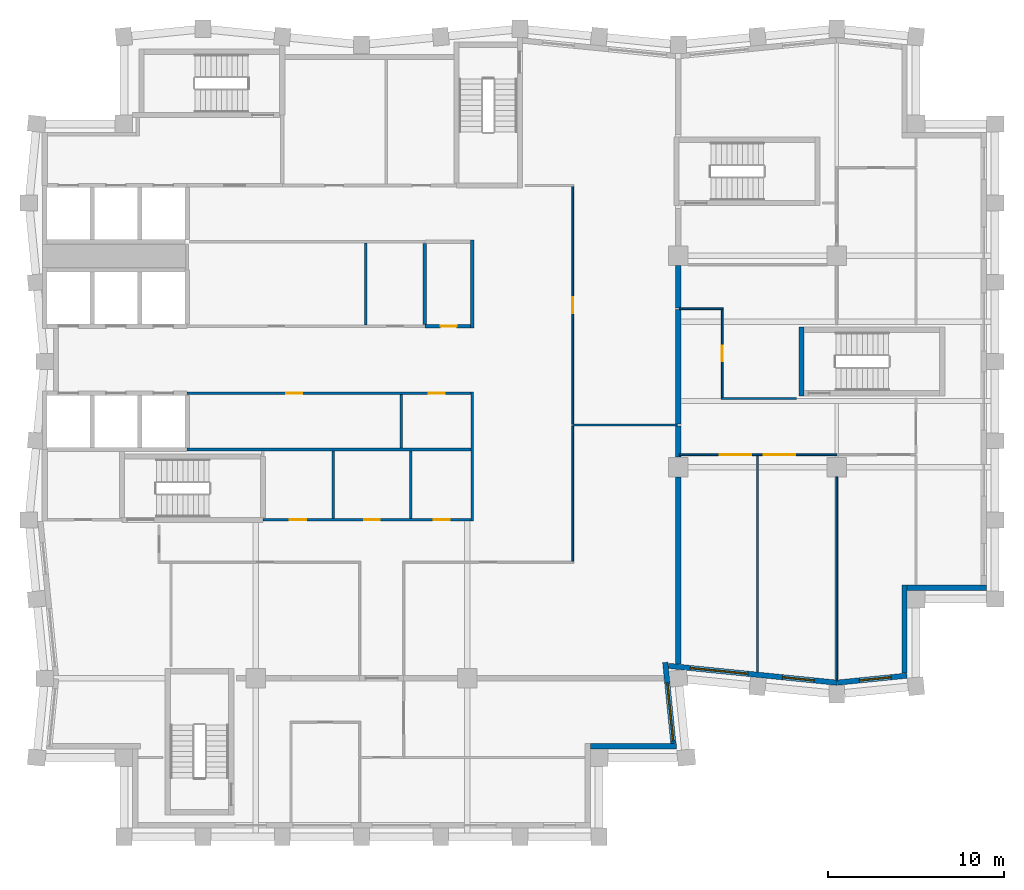
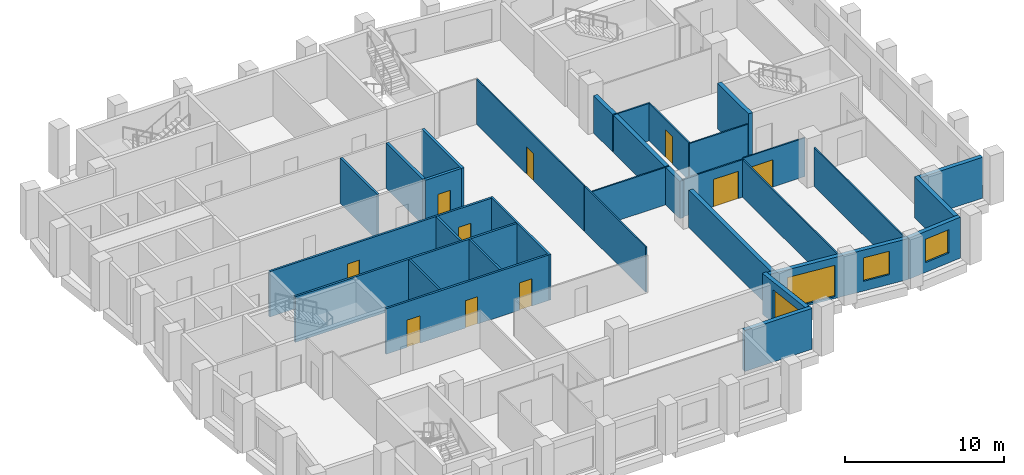
# One storey, part 4 of 8: 32 walls, 10 doors, 4 windows, 14 openings.
"""IFC4 building model written with IfcOpenShell, lengths in metres."""

from ifc_helpers import new_model, si_unit, direction, frame, frame_2d, origin, place, context, subcontext, project, spatial, rectangle, extrude, material, layer, layer_set, type_object, element, fill, save


model = new_model("IFC4")

# Units and contexts
model_context = context("Model", 3, precision=1e-05, world=origin(), true_north=direction((0.0, 1.0)))
body_context = subcontext(model_context, "Body", "Model", "MODEL_VIEW")
ifc_project = project(units=[si_unit("LENGTHUNIT", "METRE"), si_unit("AREAUNIT", "SQUARE_METRE"), si_unit("VOLUMEUNIT", "CUBIC_METRE"), si_unit("PLANEANGLEUNIT", "RADIAN"), si_unit("MASSUNIT", "GRAM", prefix="KILO")], contexts=[model_context])

# Site, building, storey
site_placement = place(None, origin())
site = spatial("IfcSite", under=ifc_project, at=site_placement, CompositionType="ELEMENT")
building_placement = place(site_placement, origin())
building = spatial("IfcBuilding", under=site, at=building_placement, Name="Brondeck Convention Tower", CompositionType="ELEMENT")
storey_placement = place(building_placement, frame((0.0, 0.0, 217.800048828125)))
storey = spatial("IfcBuildingStorey", under=building, at=storey_placement, Name="L53", CompositionType="ELEMENT", Elevation=217.800048828125)

# Walls
ifc_material_1 = material(Name="Concrete compartment wall C30/37", Category="concrete")
ifc_layer_1 = layer(ifc_material_1, 0.300048828125)
ifc_layer_set_1 = layer_set([ifc_layer_1], Name="Compartment wall 300")
wall_type_1 = type_object("IfcWallType", Name="Compartment wall 300", PredefinedType="PARTITIONING", material=ifc_layer_set_1)
wall_1_placement = place(storey_placement, frame((36.0, 27.823974609375, 0.0), z_axis=(0.0, 0.0, 1.0), x_axis=(0.0, 1.0, 0.0)))
element("IfcWall", 1, at=wall_1_placement, inside=storey, type_object=wall_type_1, Name="FLR-L53-W021", PredefinedType="PARTITIONING", context=body_context, shape_type="SweptSolid", body=[
    extrude(rectangle(XDim=10.62109375, YDim=0.300048828125, at=frame_2d((5.310546875, 0.0))), origin(), (0.0, 0.0, 1.0), 2.8798828125),
])
wall_2_placement = place(storey_placement, frame((36.0, 39.570068359375, 0.0), z_axis=(0.0, 0.0, 1.0), x_axis=(0.0, 1.0, 0.0)))
element("IfcWall", 2, at=wall_2_placement, inside=storey, type_object=wall_type_1, Name="FLR-L53-W035", PredefinedType="PARTITIONING", context=body_context, shape_type="SweptSolid", body=[
    extrude(rectangle(XDim=1.77197265625, YDim=0.300048828125, at=frame_2d((0.885986328125, 0.0))), origin(), (0.0, 0.0, 1.0), 2.8798828125),
])
wall_3_placement = place(storey_placement, frame((36.0, 41.44189453125, 0.0), z_axis=(0.0, 0.0, 1.0), x_axis=(0.0, 1.0, 0.0)))
element("IfcWall", 3, at=wall_3_placement, inside=storey, type_object=wall_type_1, Name="FLR-L53-W038", PredefinedType="PARTITIONING", context=body_context, shape_type="SweptSolid", body=[
    extrude(rectangle(XDim=6.508056640625, YDim=0.300048828125, at=frame_2d((3.25390625, 0.0))), origin(), (0.0, 0.0, 1.0), 2.8798828125),
])
wall_4_placement = place(storey_placement, frame((36.0, 48.050048828125, 0.0), z_axis=(0.0, 0.0, 1.0), x_axis=(0.0, 1.0, 0.0)))
element("IfcWall", 4, at=wall_4_placement, inside=storey, type_object=wall_type_1, Name="FLR-L53-W044", PredefinedType="PARTITIONING", context=body_context, shape_type="SweptSolid", body=[
    extrude(rectangle(XDim=2.39501953125, YDim=0.300048828125, at=frame_2d((1.197509765625, 0.0))), origin(), (0.0, 0.0, 1.0), 2.8798828125),
])

# Wall, openings, doors
ifc_material_2 = material(Name="Concrete C50/60", Category="concrete")
ifc_layer_2 = layer(ifc_material_2, 0.14990234375)
ifc_layer_set_2 = layer_set([ifc_layer_2], Name="Core beam-seat wall 150 Concrete C50/60")
wall_type_2 = type_object("IfcWallType", Name="Core beam-seat wall 150 Concrete C50/60", PredefinedType="SHEAR", material=ifc_layer_set_2)
wall_5_placement = place(storey_placement, frame((12.39990234375, 36.0, 0.0), z_axis=(0.0, 0.0, 1.0), x_axis=(1.0, 0.0, 0.0)))
wall_5 = element("IfcWall", 5, at=wall_5_placement, inside=storey, type_object=wall_type_2, Name="L53 core wall", PredefinedType="SHEAR", context=body_context, shape_type="SweptSolid", body=[
    extrude(rectangle(XDim=11.8251953125, YDim=0.14990234375, at=frame_2d((5.91259765625, 0.0))), origin(), (0.0, 0.0, 1.0), 3.5),
])
opening_1_placement = place(wall_5_placement, frame((1.52490234375, 0.0, 0.0)))
opening_1 = element("IfcOpeningElement", 6, at=opening_1_placement, cuts=wall_5, Name="Opening C29-03", PredefinedType="OPENING", context=body_context, shape_type="SweptSolid", body=[
    extrude(rectangle(XDim=0.949951171875, YDim=2.10009765625, at=frame_2d((0.47509765625, 1.050048828125))), frame((0.0, 0.0849609375, 0.0), z_axis=(0.0, -1.0, 0.0), x_axis=(1.0, 0.0, 0.0)), (0.0, 0.0, 1.0), 0.169921875),
])
opening_2_placement = place(wall_5_placement, frame((5.75, 0.0, 0.0)))
opening_2 = element("IfcOpeningElement", 7, at=opening_2_placement, cuts=wall_5, Name="Opening C29-04", PredefinedType="OPENING", context=body_context, shape_type="SweptSolid", body=[
    extrude(rectangle(XDim=0.89990234375, YDim=2.10009765625, at=frame_2d((0.449951171875, 1.050048828125))), frame((0.0, 0.0849609375, 0.0), z_axis=(0.0, -1.0, 0.0), x_axis=(1.0, 0.0, 0.0)), (0.0, 0.0, 1.0), 0.169921875),
])
opening_3_placement = place(wall_5_placement, frame((9.699951171875, 0.0, 0.0)))
opening_3 = element("IfcOpeningElement", 8, at=opening_3_placement, cuts=wall_5, Name="Opening C29-05", PredefinedType="OPENING", context=body_context, shape_type="SweptSolid", body=[
    extrude(rectangle(XDim=0.89990234375, YDim=2.10009765625, at=frame_2d((0.449951171875, 1.050048828125))), frame((0.0, 0.0849609375, 0.0), z_axis=(0.0, -1.0, 0.0), x_axis=(1.0, 0.0, 0.0)), (0.0, 0.0, 1.0), 0.169921875),
])
ifc_material_3 = material(Name="Steel fire door", Category="steel")
door_type_1 = type_object("IfcDoorType", Name="Room door 900x2100 EI 60", OperationType="NOTDEFINED", PredefinedType="DOOR", material=ifc_material_3)
door_1_placement = place(opening_2_placement, origin())
door_1 = element("IfcDoor", 9, at=door_1_placement, inside=storey, type_object=door_type_1, Name="L53 Room door FR-2", OperationType="SINGLE_SWING_LEFT", OverallHeight=2.10009765625, OverallWidth=0.89990234375, PredefinedType="DOOR", context=body_context, shape_type="SweptSolid", body=[
    extrude(rectangle(XDim=0.89990234375, YDim=2.10009765625, at=frame_2d((0.449951171875, 1.050048828125))), frame((0.0, 0.02490234375, 0.0), z_axis=(0.0, -1.0, 0.0), x_axis=(1.0, 0.0, 0.0)), (0.0, 0.0, 1.0), 0.050048828125),
])
fill(opening_2, door_1)
door_2_placement = place(opening_3_placement, origin())
door_2 = element("IfcDoor", 10, at=door_2_placement, inside=storey, type_object=door_type_1, Name="L53 Room door FR-3", OperationType="SINGLE_SWING_RIGHT", OverallHeight=2.10009765625, OverallWidth=0.89990234375, PredefinedType="DOOR", context=body_context, shape_type="SweptSolid", body=[
    extrude(rectangle(XDim=0.89990234375, YDim=2.10009765625, at=frame_2d((0.449951171875, 1.050048828125))), frame((0.0, 0.02490234375, 0.0), z_axis=(0.0, -1.0, 0.0), x_axis=(1.0, 0.0, 0.0)), (0.0, 0.0, 1.0), 0.050048828125),
])
fill(opening_3, door_2)
door_type_2 = type_object("IfcDoorType", Name="Room door 950x2100 EI 60", OperationType="NOTDEFINED", PredefinedType="DOOR", material=ifc_material_3)
door_3_placement = place(opening_1_placement, origin())
door_3 = element("IfcDoor", 11, at=door_3_placement, inside=storey, type_object=door_type_2, Name="L53 Room door FR-1", OperationType="SINGLE_SWING_RIGHT", OverallHeight=2.10009765625, OverallWidth=0.949951171875, PredefinedType="DOOR", context=body_context, shape_type="SweptSolid", body=[
    extrude(rectangle(XDim=0.949951171875, YDim=2.10009765625, at=frame_2d((0.47509765625, 1.050048828125))), frame((0.0, 0.02490234375, 0.0), z_axis=(0.0, -1.0, 0.0), x_axis=(1.0, 0.0, 0.0)), (0.0, 0.0, 1.0), 0.050048828125),
])
fill(opening_1, door_3)

# Walls
ifc_layer_3 = layer(ifc_material_2, 0.199951171875)
ifc_layer_set_3 = layer_set([ifc_layer_3], Name="Core beam-seat wall 200 Concrete C50/60")
wall_type_3 = type_object("IfcWallType", Name="Core beam-seat wall 200 Concrete C50/60", PredefinedType="SHEAR", material=ifc_layer_set_3)
wall_6_placement = place(storey_placement, frame((24.300048828125, 46.89990234375, 0.0), z_axis=(0.0, 0.0, 1.0), x_axis=(0.0, 1.0, 0.0)))
element("IfcWall", 12, at=wall_6_placement, inside=storey, type_object=wall_type_3, Name="L53 core wall", PredefinedType="SHEAR", context=body_context, shape_type="SweptSolid", body=[
    extrude(rectangle(XDim=5.0, YDim=0.199951171875, at=frame_2d((2.5, 0.0))), origin(), (0.0, 0.0, 1.0), 3.5),
])
ifc_material_4 = material(Name="Fire-rated gypsum board partition")
ifc_layer_4 = layer(ifc_material_4, 0.14990234375)
ifc_layer_set_4 = layer_set([ifc_layer_4], Name="Core partition 150 EI 60")
wall_type_4 = type_object("IfcWallType", Name="Core partition 150 EI 60", PredefinedType="PARTITIONING", material=ifc_layer_set_4)
wall_7_placement = place(storey_placement, frame((8.10009765625, 40.0, 0.0), z_axis=(0.0, 0.0, 1.0), x_axis=(1.0, 0.0, 0.0)))
element("IfcWall", 13, at=wall_7_placement, inside=storey, type_object=wall_type_4, Name="L53 core wall", PredefinedType="PARTITIONING", context=body_context, shape_type="SweptSolid", body=[
    extrude(rectangle(XDim=16.125, YDim=0.14990234375, at=frame_2d((8.0625, 0.0))), origin(), (0.0, 0.0, 1.0), 3.5),
])

# Wall, openings, doors
wall_8_placement = place(storey_placement, frame((8.10009765625, 43.199951171875, 0.0), z_axis=(0.0, 0.0, 1.0), x_axis=(1.0, 0.0, 0.0)))
wall_8 = element("IfcWall", 14, at=wall_8_placement, inside=storey, type_object=wall_type_4, Name="L53 core wall", PredefinedType="PARTITIONING", context=body_context, shape_type="SweptSolid", body=[
    extrude(rectangle(XDim=16.125, YDim=0.14990234375, at=frame_2d((8.0625, 0.0))), origin(), (0.0, 0.0, 1.0), 3.5),
])
opening_4_placement = place(wall_8_placement, frame((5.625, 0.0, 0.0)))
opening_4 = element("IfcOpeningElement", 15, at=opening_4_placement, cuts=wall_8, Name="Opening C29-09", PredefinedType="OPENING", context=body_context, shape_type="SweptSolid", body=[
    extrude(rectangle(XDim=0.89990234375, YDim=2.10009765625, at=frame_2d((0.449951171875, 1.050048828125))), frame((0.0, 0.0849609375, 0.0), z_axis=(0.0, -1.0, 0.0), x_axis=(1.0, 0.0, 0.0)), (0.0, 0.0, 1.0), 0.169921875),
])
opening_5_placement = place(wall_8_placement, frame((13.72509765625, 0.0, 0.0)))
opening_5 = element("IfcOpeningElement", 16, at=opening_5_placement, cuts=wall_8, Name="Opening C29-10", PredefinedType="OPENING", context=body_context, shape_type="SweptSolid", body=[
    extrude(rectangle(XDim=0.89990234375, YDim=2.10009765625, at=frame_2d((0.449951171875, 1.050048828125))), frame((0.0, 0.0849609375, 0.0), z_axis=(0.0, -1.0, 0.0), x_axis=(1.0, 0.0, 0.0)), (0.0, 0.0, 1.0), 0.169921875),
])
door_4_placement = place(opening_4_placement, origin())
door_4 = element("IfcDoor", 17, at=door_4_placement, inside=storey, type_object=door_type_1, Name="L53 Room door FZ-S-8.1-1", OperationType="SINGLE_SWING_RIGHT", OverallHeight=2.10009765625, OverallWidth=0.89990234375, PredefinedType="DOOR", context=body_context, shape_type="SweptSolid", body=[
    extrude(rectangle(XDim=0.89990234375, YDim=2.10009765625, at=frame_2d((0.449951171875, 1.050048828125))), frame((0.0, 0.02490234375, 0.0), z_axis=(0.0, -1.0, 0.0), x_axis=(1.0, 0.0, 0.0)), (0.0, 0.0, 1.0), 0.050048828125),
])
fill(opening_4, door_4)
door_5_placement = place(opening_5_placement, origin())
door_5 = element("IfcDoor", 18, at=door_5_placement, inside=storey, type_object=door_type_1, Name="L53 Room door FZ-S-8.1-2", OperationType="SINGLE_SWING_LEFT", OverallHeight=2.10009765625, OverallWidth=0.89990234375, PredefinedType="DOOR", context=body_context, shape_type="SweptSolid", body=[
    extrude(rectangle(XDim=0.89990234375, YDim=2.10009765625, at=frame_2d((0.449951171875, 1.050048828125))), frame((0.0, 0.02490234375, 0.0), z_axis=(0.0, -1.0, 0.0), x_axis=(1.0, 0.0, 0.0)), (0.0, 0.0, 1.0), 0.050048828125),
])
fill(opening_5, door_5)

# Walls
wall_9_placement = place(storey_placement, frame((16.39990234375, 36.074951171875, 0.0), z_axis=(0.0, 0.0, 1.0), x_axis=(0.0, 1.0, 0.0)))
element("IfcWall", 19, at=wall_9_placement, inside=storey, type_object=wall_type_4, Name="L53 core wall", PredefinedType="PARTITIONING", context=body_context, shape_type="SweptSolid", body=[
    extrude(rectangle(XDim=3.85009765625, YDim=0.14990234375, at=frame_2d((1.925048828125, 0.0))), origin(), (0.0, 0.0, 1.0), 3.5),
])
wall_10_placement = place(storey_placement, frame((18.25, 47.074951171875, 0.0), z_axis=(0.0, 0.0, 1.0), x_axis=(0.0, 1.0, 0.0)))
element("IfcWall", 20, at=wall_10_placement, inside=storey, type_object=wall_type_4, Name="L53 core wall", PredefinedType="PARTITIONING", context=body_context, shape_type="SweptSolid", body=[
    extrude(rectangle(XDim=4.650146484375, YDim=0.14990234375, at=frame_2d((2.3251953125, 0.0))), origin(), (0.0, 0.0, 1.0), 3.5),
])
wall_11_placement = place(storey_placement, frame((20.25, 40.074951171875, 0.0), z_axis=(0.0, 0.0, 1.0), x_axis=(0.0, 1.0, 0.0)))
element("IfcWall", 21, at=wall_11_placement, inside=storey, type_object=wall_type_4, Name="L53 core wall", PredefinedType="PARTITIONING", context=body_context, shape_type="SweptSolid", body=[
    extrude(rectangle(XDim=3.050048828125, YDim=0.14990234375, at=frame_2d((1.52490234375, 0.0))), origin(), (0.0, 0.0, 1.0), 3.5),
])
wall_12_placement = place(storey_placement, frame((20.800048828125, 36.074951171875, 0.0), z_axis=(0.0, 0.0, 1.0), x_axis=(0.0, 1.0, 0.0)))
element("IfcWall", 22, at=wall_12_placement, inside=storey, type_object=wall_type_4, Name="L53 core wall", PredefinedType="PARTITIONING", context=body_context, shape_type="SweptSolid", body=[
    extrude(rectangle(XDim=3.85009765625, YDim=0.14990234375, at=frame_2d((1.925048828125, 0.0))), origin(), (0.0, 0.0, 1.0), 3.5),
])
wall_13_placement = place(storey_placement, frame((24.300048828125, 35.925048828125, 0.0), z_axis=(0.0, 0.0, 1.0), x_axis=(0.0, 1.0, 0.0)))
element("IfcWall", 23, at=wall_13_placement, inside=storey, type_object=wall_type_4, Name="L53 core wall", PredefinedType="PARTITIONING", context=body_context, shape_type="SweptSolid", body=[
    extrude(rectangle(XDim=7.349853515625, YDim=0.14990234375, at=frame_2d((3.6748046875, 0.0))), origin(), (0.0, 0.0, 1.0), 3.5),
])
ifc_material_5 = material(Name="Precast concrete C50/60 bronze finish", Category="concrete")
ifc_layer_5 = layer(ifc_material_5, 0.070068359375, Name="Bronze precast facing")
ifc_material_6 = material(Name="Mineral wool")
ifc_layer_6 = layer(ifc_material_6, 0.159912109375, Name="Insulation")
ifc_material_7 = material(Name="Concrete C35/45", Category="concrete")
ifc_layer_7 = layer(ifc_material_7, 0.070068359375, Name="Backing")
ifc_layer_set_5 = layer_set([ifc_layer_5, ifc_layer_6, ifc_layer_7], Name="External infill wall, precast concrete C50/60 bronze facing")
wall_type_5 = type_object("IfcWallType", Name="External infill wall, precast concrete C50/60 bronze facing", PredefinedType="SOLIDWALL", material=ifc_layer_set_5)
wall_14_placement = place(storey_placement, frame((35.8974609375, 23.14990234375, 0.0), z_axis=(0.0, 0.0, 1.0), x_axis=(-1.0, 0.0, 0.0)))
element("IfcWall", 24, at=wall_14_placement, inside=storey, type_object=wall_type_5, Name="ENV-EW-L53-P2-NC-SEB18-02", PredefinedType="SOLIDWALL", context=body_context, shape_type="SweptSolid", body=[
    extrude(rectangle(XDim=4.8974609375, YDim=0.300048828125, at=frame_2d((2.44873046875, 0.0))), origin(), (0.0, 0.0, 1.0), 3.14990234375),
])

# Wall, opening, window
wall_15_placement = place(storey_placement, frame((35.255859375, 27.908203125, 0.0), z_axis=(0.0, 0.0, 1.0), x_axis=(0.099535070904, -0.995034054523, 0.0)))
wall_15 = element("IfcWall", 25, at=wall_15_placement, inside=storey, type_object=wall_type_5, Name="ENV-EW-L53-P2-B-E-00", PredefinedType="SOLIDWALL", context=body_context, shape_type="SweptSolid", body=[
    extrude(rectangle(XDim=4.6259765625, YDim=0.300048828125, at=frame_2d((2.31298828125, 0.0))), origin(), (0.0, 0.0, 1.0), 3.14990234375),
])
opening_6_placement = place(wall_15_placement, frame((1.176025390625, 0.0, 0.14990234375)))
opening_6 = element("IfcOpeningElement", 26, at=opening_6_placement, cuts=wall_15, Name="Opening W9", PredefinedType="OPENING", context=body_context, shape_type="SweptSolid", body=[
    extrude(rectangle(XDim=3.300048828125, YDim=2.39990234375, at=frame_2d((1.64990234375, 1.199951171875))), frame((0.0, 0.159912109375, 0.0), z_axis=(0.0, -1.0, 0.0), x_axis=(1.0, 0.0, 0.0)), (0.0, 0.0, 1.0), 0.320068359375),
])
ifc_material_8 = material(Name="Bronze tinted double glazing", Category="glass")
window_type_1 = type_object("IfcWindowType", Name="Glazed flute window, bronze tinted", PartitioningType="SINGLE_PANEL", PredefinedType="WINDOW", material=ifc_material_8)
window_1_placement = place(opening_6_placement, origin())
window_1 = element("IfcWindow", 27, at=window_1_placement, inside=storey, type_object=window_type_1, Name="ENV-WN-L53-P2-B-E-00", OverallHeight=2.39990234375, OverallWidth=3.300048828125, PartitioningType="SINGLE_PANEL", PredefinedType="WINDOW", context=body_context, shape_type="SweptSolid", body=[
    extrude(rectangle(XDim=3.300048828125, YDim=2.39990234375, at=frame_2d((1.64990234375, 1.199951171875))), frame((0.0, 0.030029296875, 0.0), z_axis=(0.0, -1.0, 0.0), x_axis=(1.0, 0.0, 0.0)), (0.0, 0.0, 1.0), 0.06005859375),
])
fill(opening_6, window_1)

# Wall, openings, windows
wall_16_placement = place(storey_placement, frame((45.014892578125, 26.751708984375, 0.0), z_axis=(0.0, 0.0, 1.0), x_axis=(-0.9950379439, 0.099496181828, 0.0)))
wall_16 = element("IfcWall", 28, at=wall_16_placement, inside=storey, type_object=wall_type_5, Name="ENV-EW-L53-P2-A-S-00", PredefinedType="SOLIDWALL", context=body_context, shape_type="SweptSolid", body=[
    extrude(rectangle(XDim=9.621337890625, YDim=0.300048828125, at=frame_2d((4.810546875, 0.0))), origin(), (0.0, 0.0, 1.0), 3.14990234375),
])
opening_7_placement = place(wall_16_placement, frame((1.311279296875, 0.0, 0.75)))
opening_7 = element("IfcOpeningElement", 29, at=opening_7_placement, cuts=wall_16, Name="Opening W10", PredefinedType="OPENING", context=body_context, shape_type="SweptSolid", body=[
    extrude(rectangle(XDim=1.800048828125, YDim=1.800048828125, at=frame_2d((0.89990234375, 0.89990234375))), frame((0.0, 0.159912109375, 0.0), z_axis=(0.0, -1.0, 0.0), x_axis=(1.0, 0.0, 0.0)), (0.0, 0.0, 1.0), 0.320068359375),
])
opening_8_placement = place(wall_16_placement, frame((5.08349609375, 0.0, 0.14990234375)))
opening_8 = element("IfcOpeningElement", 30, at=opening_8_placement, cuts=wall_16, Name="Opening W9", PredefinedType="OPENING", context=body_context, shape_type="SweptSolid", body=[
    extrude(rectangle(XDim=3.300048828125, YDim=2.39990234375, at=frame_2d((1.64990234375, 1.199951171875))), frame((0.0, 0.159912109375, 0.0), z_axis=(0.0, -1.0, 0.0), x_axis=(1.0, 0.0, 0.0)), (0.0, 0.0, 1.0), 0.320068359375),
])
window_2_placement = place(opening_8_placement, origin())
window_2 = element("IfcWindow", 31, at=window_2_placement, inside=storey, type_object=window_type_1, Name="ENV-WN-L53-P2-A-S-00", OverallHeight=2.39990234375, OverallWidth=3.300048828125, PartitioningType="SINGLE_PANEL", PredefinedType="WINDOW", context=body_context, shape_type="SweptSolid", body=[
    extrude(rectangle(XDim=3.300048828125, YDim=2.39990234375, at=frame_2d((1.64990234375, 1.199951171875))), frame((0.0, 0.030029296875, 0.0), z_axis=(0.0, -1.0, 0.0), x_axis=(1.0, 0.0, 0.0)), (0.0, 0.0, 1.0), 0.06005859375),
])
fill(opening_8, window_2)
window_type_2 = type_object("IfcWindowType", Name="Punched window, bronze tinted", PartitioningType="SINGLE_PANEL", PredefinedType="WINDOW", material=ifc_material_8)
window_3_placement = place(opening_7_placement, origin())
window_3 = element("IfcWindow", 32, at=window_3_placement, inside=storey, type_object=window_type_2, Name="ENV-WN-L53-P2-A-S-01", OverallHeight=1.800048828125, OverallWidth=1.800048828125, PartitioningType="SINGLE_PANEL", PredefinedType="WINDOW", context=body_context, shape_type="SweptSolid", body=[
    extrude(rectangle(XDim=1.800048828125, YDim=1.800048828125, at=frame_2d((0.89990234375, 0.89990234375))), frame((0.0, 0.030029296875, 0.0), z_axis=(0.0, -1.0, 0.0), x_axis=(1.0, 0.0, 0.0)), (0.0, 0.0, 1.0), 0.06005859375),
])
fill(opening_7, window_3)

# Wall, opening, window
wall_17_placement = place(storey_placement, frame((48.985107421875, 27.151611328125, 0.0), z_axis=(0.0, 0.0, 1.0), x_axis=(-0.995037798293, -0.099497638, 0.0)))
wall_17 = element("IfcWall", 33, at=wall_17_placement, inside=storey, type_object=wall_type_5, Name="ENV-EW-L53-P2-A-S-02", PredefinedType="SOLIDWALL", context=body_context, shape_type="SweptSolid", body=[
    extrude(rectangle(XDim=3.97509765625, YDim=0.300048828125, at=frame_2d((1.987548828125, 0.0))), origin(), (0.0, 0.0, 1.0), 3.14990234375),
])
opening_9_placement = place(wall_17_placement, frame((0.90869140625, 0.0, 0.75)))
opening_9 = element("IfcOpeningElement", 34, at=opening_9_placement, cuts=wall_17, Name="Opening W10", PredefinedType="OPENING", context=body_context, shape_type="SweptSolid", body=[
    extrude(rectangle(XDim=1.800048828125, YDim=1.800048828125, at=frame_2d((0.89990234375, 0.89990234375))), frame((0.0, 0.159912109375, 0.0), z_axis=(0.0, -1.0, 0.0), x_axis=(1.0, 0.0, 0.0)), (0.0, 0.0, 1.0), 0.320068359375),
])
window_4_placement = place(opening_9_placement, origin())
window_4 = element("IfcWindow", 35, at=window_4_placement, inside=storey, type_object=window_type_2, Name="ENV-WN-L53-P2-A-S-02", OverallHeight=1.800048828125, OverallWidth=1.800048828125, PartitioningType="SINGLE_PANEL", PredefinedType="WINDOW", context=body_context, shape_type="SweptSolid", body=[
    extrude(rectangle(XDim=1.800048828125, YDim=1.800048828125, at=frame_2d((0.89990234375, 0.89990234375))), frame((0.0, 0.030029296875, 0.0), z_axis=(0.0, -1.0, 0.0), x_axis=(1.0, 0.0, 0.0)), (0.0, 0.0, 1.0), 0.06005859375),
])
fill(opening_9, window_4)

# Walls
wall_18_placement = place(storey_placement, frame((48.85009765625, 32.300048828125, 0.0), z_axis=(0.0, 0.0, 1.0), x_axis=(0.0, -1.0, 0.0)))
element("IfcWall", 36, at=wall_18_placement, inside=storey, type_object=wall_type_5, Name="ENV-EW-L53-P2-NC-SEA54-01", PredefinedType="SOLIDWALL", context=body_context, shape_type="SweptSolid", body=[
    extrude(rectangle(XDim=5.009765625, YDim=0.300048828125, at=frame_2d((2.5048828125, 0.0))), origin(), (0.0, 0.0, 1.0), 3.14990234375),
])
wall_19_placement = place(storey_placement, frame((53.5, 32.14990234375, 0.0), z_axis=(0.0, 0.0, 1.0), x_axis=(-1.0, 0.0, 0.0)))
element("IfcWall", 37, at=wall_19_placement, inside=storey, type_object=wall_type_5, Name="ENV-EW-L53-P2-NC-SEA54-02", PredefinedType="SOLIDWALL", context=body_context, shape_type="SweptSolid", body=[
    extrude(rectangle(XDim=4.501953125, YDim=0.300048828125, at=frame_2d((2.2509765625, 0.0))), origin(), (0.0, 0.0, 1.0), 3.14990234375),
])

# Wall, opening, door
ifc_layer_8 = layer(ifc_material_4, 0.199951171875)
ifc_layer_set_6 = layer_set([ifc_layer_8], Name="Riser wall 200 EI 120")
wall_type_6 = type_object("IfcWallType", Name="Riser wall 200 EI 120", PredefinedType="PARTITIONING", material=ifc_layer_set_6)
wall_20_placement = place(storey_placement, frame((21.60009765625, 47.0, 0.0), z_axis=(0.0, 0.0, 1.0), x_axis=(1.0, 0.0, 0.0)))
wall_20 = element("IfcWall", 38, at=wall_20_placement, inside=storey, type_object=wall_type_6, Name="L53 core wall", PredefinedType="PARTITIONING", context=body_context, shape_type="SweptSolid", body=[
    extrude(rectangle(XDim=2.599853515625, YDim=0.199951171875, at=frame_2d((1.2998046875, 0.0))), origin(), (0.0, 0.0, 1.0), 3.5),
])
opening_10_placement = place(wall_20_placement, frame((0.89990234375, 0.0, 0.0)))
opening_10 = element("IfcOpeningElement", 39, at=opening_10_placement, cuts=wall_20, Name="Opening C29-02", PredefinedType="OPENING", context=body_context, shape_type="SweptSolid", body=[
    extrude(rectangle(XDim=0.89990234375, YDim=2.10009765625, at=frame_2d((0.449951171875, 1.050048828125))), frame((0.0, 0.10986328125, 0.0), z_axis=(0.0, -1.0, 0.0), x_axis=(1.0, 0.0, 0.0)), (0.0, 0.0, 1.0), 0.219970703125),
])
door_type_3 = type_object("IfcDoorType", Name="Riser door 900x2100 EI 120", OperationType="NOTDEFINED", PredefinedType="DOOR", material=ifc_material_3)
door_6_placement = place(opening_10_placement, origin())
door_6 = element("IfcDoor", 40, at=door_6_placement, inside=storey, type_object=door_type_3, Name="L53 Riser door EN-1", OperationType="SINGLE_SWING_LEFT", OverallHeight=2.10009765625, OverallWidth=0.89990234375, PredefinedType="DOOR", context=body_context, shape_type="SweptSolid", body=[
    extrude(rectangle(XDim=0.89990234375, YDim=2.10009765625, at=frame_2d((0.449951171875, 1.050048828125))), frame((0.0, 0.02490234375, 0.0), z_axis=(0.0, -1.0, 0.0), x_axis=(1.0, 0.0, 0.0)), (0.0, 0.0, 1.0), 0.050048828125),
])
fill(opening_10, door_6)

# Walls
wall_21_placement = place(storey_placement, frame((21.60009765625, 47.10009765625, 0.0), z_axis=(0.0, 0.0, 1.0), x_axis=(0.0, 1.0, 0.0)))
element("IfcWall", 41, at=wall_21_placement, inside=storey, type_object=wall_type_6, Name="L53 core wall", PredefinedType="PARTITIONING", context=body_context, shape_type="SweptSolid", body=[
    extrude(rectangle(XDim=4.599853515625, YDim=0.199951171875, at=frame_2d((2.2998046875, 0.0))), origin(), (0.0, 0.0, 1.0), 3.5),
])
ifc_material_9 = material(Name="Gypsum board partition on steel studs", Category="steel")
ifc_layer_9 = layer(ifc_material_9, 0.10009765625)
ifc_layer_set_7 = layer_set([ifc_layer_9], Name="Room partition 100")
wall_type_7 = type_object("IfcWallType", Name="Room partition 100", PredefinedType="PARTITIONING", material=ifc_layer_set_7)
wall_22_placement = place(storey_placement, frame((45.0, 38.445068359375, 0.0), z_axis=(0.0, 0.0, 1.0), x_axis=(0.0, -1.0, 0.0)))
element("IfcWall", 42, at=wall_22_placement, inside=storey, type_object=wall_type_7, Name="FLR-L53-W030", PredefinedType="PARTITIONING", context=body_context, shape_type="SweptSolid", body=[
    extrude(rectangle(XDim=11.52099609375, YDim=0.10009765625, at=frame_2d((5.760498046875, 0.0))), origin(), (0.0, 0.0, 1.0), 2.97998046875),
])
wall_23_placement = place(storey_placement, frame((40.5, 39.64990234375, 0.0), z_axis=(0.0, 0.0, 1.0), x_axis=(0.0, -1.0, 0.0)))
element("IfcWall", 43, at=wall_23_placement, inside=storey, type_object=wall_type_7, Name="FLR-L53-W031", PredefinedType="PARTITIONING", context=body_context, shape_type="SweptSolid", body=[
    extrude(rectangle(XDim=12.27587890625, YDim=0.10009765625, at=frame_2d((6.137939453125, 0.0))), origin(), (0.0, 0.0, 1.0), 2.8798828125),
])

# Wall, opening, door
wall_24_placement = place(storey_placement, frame((40.5, 39.699951171875, 0.0), z_axis=(0.0, 0.0, 1.0), x_axis=(-1.0, 0.0, 0.0)))
wall_24 = element("IfcWall", 44, at=wall_24_placement, inside=storey, type_object=wall_type_7, Name="FLR-L53-W032", PredefinedType="PARTITIONING", context=body_context, shape_type="SweptSolid", body=[
    extrude(rectangle(XDim=4.449951171875, YDim=0.10009765625, at=frame_2d((2.22509765625, 0.0))), origin(), (0.0, 0.0, 1.0), 2.8798828125),
])
opening_11_placement = place(wall_24_placement, frame((0.35400390625, 0.0, 0.0)))
opening_11 = element("IfcOpeningElement", 45, at=opening_11_placement, cuts=wall_24, Name="Opening OF-L-004", PredefinedType="OPENING", context=body_context, shape_type="SweptSolid", body=[
    extrude(rectangle(XDim=1.800048828125, YDim=2.10009765625, at=frame_2d((0.89990234375, 1.050048828125))), frame((0.0, 0.06005859375, 0.0), z_axis=(0.0, -1.0, 0.0), x_axis=(1.0, 0.0, 0.0)), (0.0, 0.0, 1.0), 0.1201171875),
])
ifc_material_10 = material(Name="Glazed timber double door", Category="wood")
door_type_4 = type_object("IfcDoorType", Name="Double door 1800", OperationType="DOUBLE_DOOR_SINGLE_SWING", PredefinedType="DOOR", material=ifc_material_10)
door_7_placement = place(opening_11_placement, origin())
door_7 = element("IfcDoor", 46, at=door_7_placement, inside=storey, type_object=door_type_4, Name="Door OF-L-004", OperationType="DOUBLE_DOOR_SINGLE_SWING", OverallHeight=2.10009765625, OverallWidth=1.800048828125, PredefinedType="DOOR", context=body_context, shape_type="SweptSolid", body=[
    extrude(rectangle(XDim=1.800048828125, YDim=2.10009765625, at=frame_2d((0.89990234375, 1.050048828125))), frame((0.0, 0.02490234375, 0.0), z_axis=(0.0, -1.0, 0.0), x_axis=(1.0, 0.0, 0.0)), (0.0, 0.0, 1.0), 0.050048828125),
])
fill(opening_11, door_7)

wall_25_placement = place(storey_placement, frame((45.0, 39.699951171875, 0.0), z_axis=(0.0, 0.0, 1.0), x_axis=(-1.0, 0.0, 0.0)))
wall_25 = element("IfcWall", 47, at=wall_25_placement, inside=storey, type_object=wall_type_7, Name="FLR-L53-W033", PredefinedType="PARTITIONING", context=body_context, shape_type="SweptSolid", body=[
    extrude(rectangle(XDim=4.5, YDim=0.10009765625, at=frame_2d((2.25, 0.0))), origin(), (0.0, 0.0, 1.0), 2.97998046875),
])
opening_12_placement = place(wall_25_placement, frame((2.345947265625, 0.0, 0.0)))
opening_12 = element("IfcOpeningElement", 48, at=opening_12_placement, cuts=wall_25, Name="Opening OF-L-005", PredefinedType="OPENING", context=body_context, shape_type="SweptSolid", body=[
    extrude(rectangle(XDim=1.800048828125, YDim=2.10009765625, at=frame_2d((0.89990234375, 1.050048828125))), frame((0.0, 0.06005859375, 0.0), z_axis=(0.0, -1.0, 0.0), x_axis=(1.0, 0.0, 0.0)), (0.0, 0.0, 1.0), 0.1201171875),
])
door_8_placement = place(opening_12_placement, origin())
door_8 = element("IfcDoor", 49, at=door_8_placement, inside=storey, type_object=door_type_4, Name="Door OF-L-005", OperationType="DOUBLE_DOOR_SINGLE_SWING", OverallHeight=2.10009765625, OverallWidth=1.800048828125, PredefinedType="DOOR", context=body_context, shape_type="SweptSolid", body=[
    extrude(rectangle(XDim=1.800048828125, YDim=2.10009765625, at=frame_2d((0.89990234375, 1.050048828125))), frame((0.0, 0.02490234375, 0.0), z_axis=(0.0, -1.0, 0.0), x_axis=(1.0, 0.0, 0.0)), (0.0, 0.0, 1.0), 0.050048828125),
])
fill(opening_12, door_8)

# Walls
wall_26_placement = place(storey_placement, frame((30.0, 41.342041015625, 0.0), z_axis=(0.0, 0.0, 1.0), x_axis=(0.0, -1.0, 0.0)))
element("IfcWall", 50, at=wall_26_placement, inside=storey, type_object=wall_type_7, Name="FLR-L53-W036", PredefinedType="PARTITIONING", context=body_context, shape_type="SweptSolid", body=[
    extrude(rectangle(XDim=7.692138671875, YDim=0.10009765625, at=frame_2d((3.84619140625, 0.0))), origin(), (0.0, 0.0, 1.0), 3.47998046875),
])
wall_27_placement = place(storey_placement, frame((30.050048828125, 41.39208984375, 0.0), z_axis=(0.0, 0.0, 1.0), x_axis=(1.0, 0.0, 0.0)))
element("IfcWall", 51, at=wall_27_placement, inside=storey, type_object=wall_type_7, Name="FLR-L53-W037", PredefinedType="PARTITIONING", context=body_context, shape_type="SweptSolid", body=[
    extrude(rectangle(XDim=5.89990234375, YDim=0.10009765625, at=frame_2d((2.949951171875, 0.0))), origin(), (0.0, 0.0, 1.0), 2.8798828125),
])
wall_28_placement = place(storey_placement, frame((38.449951171875, 42.89990234375, 0.0), z_axis=(0.0, 0.0, 1.0), x_axis=(1.0, 0.0, 0.0)))
element("IfcWall", 52, at=wall_28_placement, inside=storey, type_object=wall_type_7, Name="FLR-L53-W039", PredefinedType="PARTITIONING", context=body_context, shape_type="SweptSolid", body=[
    extrude(rectangle(XDim=4.25, YDim=0.10009765625, at=frame_2d((2.125, 0.0))), origin(), (0.0, 0.0, 1.0), 2.8798828125),
])

# Wall, opening, door
wall_29_placement = place(storey_placement, frame((38.5, 47.949951171875, 0.0), z_axis=(0.0, 0.0, 1.0), x_axis=(0.0, -1.0, 0.0)))
wall_29 = element("IfcWall", 53, at=wall_29_placement, inside=storey, type_object=wall_type_7, Name="FLR-L53-W042", PredefinedType="PARTITIONING", context=body_context, shape_type="SweptSolid", body=[
    extrude(rectangle(XDim=5.0, YDim=0.10009765625, at=frame_2d((2.5, 0.0))), origin(), (0.0, 0.0, 1.0), 2.8798828125),
])
opening_13_placement = place(wall_29_placement, frame((2.050048828125, 0.0, 0.0)))
opening_13 = element("IfcOpeningElement", 54, at=opening_13_placement, cuts=wall_29, Name="Opening OF-L-001", PredefinedType="OPENING", context=body_context, shape_type="SweptSolid", body=[
    extrude(rectangle(XDim=0.89990234375, YDim=2.10009765625, at=frame_2d((0.449951171875, 1.050048828125))), frame((0.0, 0.06005859375, 0.0), z_axis=(0.0, -1.0, 0.0), x_axis=(1.0, 0.0, 0.0)), (0.0, 0.0, 1.0), 0.1201171875),
])
ifc_material_11 = material(Name="Solid timber door leaf", Category="wood")
door_type_5 = type_object("IfcDoorType", Name="Single door 900", OperationType="NOTDEFINED", PredefinedType="DOOR", material=ifc_material_11)
door_9_placement = place(opening_13_placement, origin())
door_9 = element("IfcDoor", 55, at=door_9_placement, inside=storey, type_object=door_type_5, Name="Door OF-L-001", OperationType="SINGLE_SWING_RIGHT", OverallHeight=2.10009765625, OverallWidth=0.89990234375, PredefinedType="DOOR", context=body_context, shape_type="SweptSolid", body=[
    extrude(rectangle(XDim=0.89990234375, YDim=2.10009765625, at=frame_2d((0.449951171875, 1.050048828125))), frame((0.0, 0.02490234375, 0.0), z_axis=(0.0, -1.0, 0.0), x_axis=(1.0, 0.0, 0.0)), (0.0, 0.0, 1.0), 0.050048828125),
])
fill(opening_13, door_9)

# Wall
wall_30_placement = place(storey_placement, frame((36.050048828125, 48.0, 0.0), z_axis=(0.0, 0.0, 1.0), x_axis=(1.0, 0.0, 0.0)))
element("IfcWall", 56, at=wall_30_placement, inside=storey, type_object=wall_type_7, Name="FLR-L53-W043", PredefinedType="PARTITIONING", context=body_context, shape_type="SweptSolid", body=[
    extrude(rectangle(XDim=2.5, YDim=0.10009765625, at=frame_2d((1.25, 0.0))), origin(), (0.0, 0.0, 1.0), 2.8798828125),
])

# Wall, opening, door
wall_31_placement = place(storey_placement, frame((30.0, 54.949951171875, 0.0), z_axis=(0.0, 0.0, 1.0), x_axis=(0.0, -1.0, 0.0)))
wall_31 = element("IfcWall", 57, at=wall_31_placement, inside=storey, type_object=wall_type_7, Name="FLR-L53-W051", PredefinedType="PARTITIONING", context=body_context, shape_type="SweptSolid", body=[
    extrude(rectangle(XDim=13.508056640625, YDim=0.10009765625, at=frame_2d((6.75390625, 0.0))), origin(), (0.0, 0.0, 1.0), 3.47998046875),
])
opening_14_placement = place(wall_31_placement, frame((6.303955078125, 0.0, 0.0)))
opening_14 = element("IfcOpeningElement", 58, at=opening_14_placement, cuts=wall_31, Name="Opening OF-L-014", PredefinedType="OPENING", context=body_context, shape_type="SweptSolid", body=[
    extrude(rectangle(XDim=0.89990234375, YDim=2.10009765625, at=frame_2d((0.449951171875, 1.050048828125))), frame((0.0, 0.06005859375, 0.0), z_axis=(0.0, -1.0, 0.0), x_axis=(1.0, 0.0, 0.0)), (0.0, 0.0, 1.0), 0.1201171875),
])
door_10_placement = place(opening_14_placement, origin())
door_10 = element("IfcDoor", 59, at=door_10_placement, inside=storey, type_object=door_type_5, Name="Door OF-L-014", OperationType="SINGLE_SWING_RIGHT", OverallHeight=2.10009765625, OverallWidth=0.89990234375, PredefinedType="DOOR", context=body_context, shape_type="SweptSolid", body=[
    extrude(rectangle(XDim=0.89990234375, YDim=2.10009765625, at=frame_2d((0.449951171875, 1.050048828125))), frame((0.0, 0.02490234375, 0.0), z_axis=(0.0, -1.0, 0.0), x_axis=(1.0, 0.0, 0.0)), (0.0, 0.0, 1.0), 0.050048828125),
])
fill(opening_14, door_10)

# Wall
ifc_layer_10 = layer(ifc_material_2, 0.300048828125)
ifc_layer_set_8 = layer_set([ifc_layer_10], Name="Stair enclosure wall 300 Concrete C50/60")
wall_type_8 = type_object("IfcWallType", Name="Stair enclosure wall 300 Concrete C50/60", PredefinedType="SHEAR", material=ifc_layer_set_8)
wall_32_placement = place(storey_placement, frame((43.0, 43.050048828125, 0.0), z_axis=(0.0, 0.0, 1.0), x_axis=(0.0, 1.0, 0.0)))
element("IfcWall", 60, at=wall_32_placement, inside=storey, type_object=wall_type_8, Name="L53 core wall", PredefinedType="SHEAR", context=body_context, shape_type="SweptSolid", body=[
    extrude(rectangle(XDim=3.89990234375, YDim=0.300048828125, at=frame_2d((1.949951171875, 0.0))), origin(), (0.0, 0.0, 1.0), 3.5),
])

save(model, "model.ifc")
